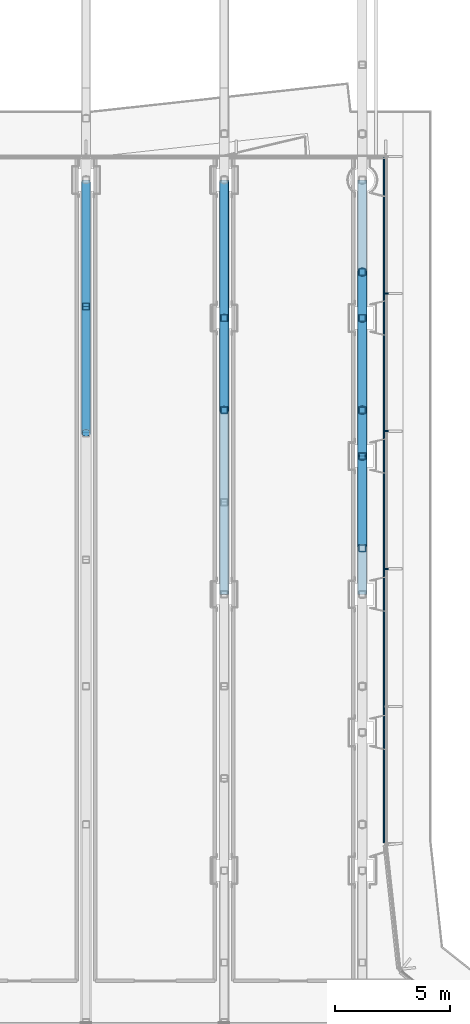
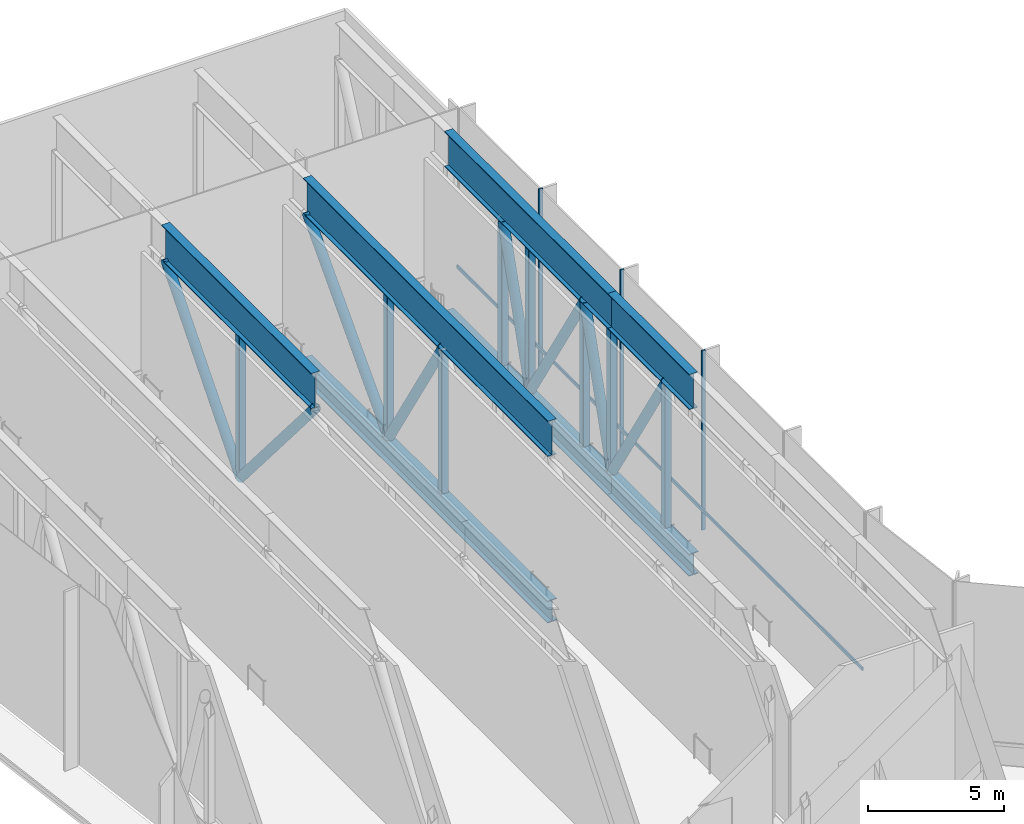
# One storey, part 8 of 22: 27 members, 1 element without a shape of its own.
"""IFC4 building model written with IfcOpenShell, lengths in metres."""

from ifc_helpers import new_model, si_unit, direction, frame, origin, origin_2d, place, context, subcontext, project, spatial, rectangle, hollow_rectangle, hollow_circle, i_section, extrude, material, layer, layer_set, material_profile, profile_set, type_object, element, aggregate, save


model = new_model("IFC4")

# Units and contexts
model_context = context("Model", 3, precision=1e-05, world=origin(), true_north=direction((0.0, 1.0)))
body_context = subcontext(model_context, "Body", "Model", "MODEL_VIEW")
ifc_project = project(units=[si_unit("LENGTHUNIT", "METRE"), si_unit("AREAUNIT", "SQUARE_METRE"), si_unit("VOLUMEUNIT", "CUBIC_METRE"), si_unit("PLANEANGLEUNIT", "RADIAN"), si_unit("MASSUNIT", "GRAM", prefix="KILO")], contexts=[model_context])

# Site, building, storey
site_placement = place(None, origin())
site = spatial("IfcSite", under=ifc_project, at=site_placement, CompositionType="ELEMENT")
building_placement = place(site_placement, origin())
building = spatial("IfcBuilding", under=site, at=building_placement, Name="Welwitschia Terrace Campus", CompositionType="ELEMENT")
storey_placement = place(building_placement, frame((0.0, 0.0, 197.0)))
storey = spatial("IfcBuildingStorey", under=building, at=storey_placement, Name="L44", CompositionType="ELEMENT", Elevation=197.0)

# Curtain wall, members
ifc_material_1 = material(Name="Bronze anodised aluminium", Category="aluminium")
ifc_layer = layer(ifc_material_1, 0.159912109375)
ifc_layer_set = layer_set([ifc_layer], Name="Bronze anodised aluminium")
curtain_wall_type = type_object("IfcCurtainWallType", Name="Curtain wall CW3 commons 6000", PredefinedType="NOTDEFINED", material=ifc_layer_set)
curtain_wall_placement = place(storey_placement, origin())
curtain_wall = element("IfcCurtainWall", 1, at=curtain_wall_placement, inside=storey, type_object=curtain_wall_type, Name="CW L44.4.0", PredefinedType="NOTDEFINED")
ifc_material_2 = material(Name="Bronze anodised aluminium", Category="aluminium")
ifc_material_profile_1 = material_profile(ifc_material_2, rectangle(XDim=0.159912109375, YDim=0.06005859375, at=origin_2d()))
ifc_profile_set_1 = profile_set([ifc_material_profile_1], Name="Bronze anodised aluminium")
member_type_1 = type_object("IfcMemberType", Name="Mullion 60x160", PredefinedType="MULLION", material=ifc_profile_set_1)
member_1_placement = place(storey_placement, frame((25.050048828125, 45.103759765625, 0.0), z_axis=(0.0, 0.0, 1.0), x_axis=(-1.0, 0.0, 0.0)))
member_1 = element("IfcMember", 2, at=member_1_placement, type_object=member_type_1, Name="Mullion L44.4.0.2", PredefinedType="MULLION", context=body_context, shape_type="SweptSolid", body=[
    extrude(rectangle(XDim=0.159912109375, YDim=0.06005859375, at=origin_2d()), origin(), (0.0, 0.0, 1.0), 8.050048828125),
])
member_2_placement = place(storey_placement, frame((25.050048828125, 51.085693359375, 0.0), z_axis=(0.0, 0.0, 1.0), x_axis=(-1.0, 0.0, 0.0)))
member_2 = element("IfcMember", 3, at=member_2_placement, type_object=member_type_1, Name="Mullion L44.4.0.3", PredefinedType="MULLION", context=body_context, shape_type="SweptSolid", body=[
    extrude(rectangle(XDim=0.159912109375, YDim=0.06005859375, at=origin_2d()), origin(), (0.0, 0.0, 1.0), 8.050048828125),
])
member_3_placement = place(storey_placement, frame((25.050048828125, 57.06787109375, 0.0), z_axis=(0.0, 0.0, 1.0), x_axis=(-1.0, 0.0, 0.0)))
member_3 = element("IfcMember", 4, at=member_3_placement, type_object=member_type_1, Name="Mullion L44.4.0.4", PredefinedType="MULLION", context=body_context, shape_type="SweptSolid", body=[
    extrude(rectangle(XDim=0.159912109375, YDim=0.06005859375, at=origin_2d()), origin(), (0.0, 0.0, 1.0), 8.050048828125),
])

# Members
ifc_material_3 = material(Name="Steel S355", Category="steel")
ifc_material_profile_2 = material_profile(ifc_material_3, i_section(OverallWidth=0.39990234375, OverallDepth=1.0, WebThickness=0.02490234375, FlangeThickness=0.0400390625, at=origin_2d()))
ifc_profile_set_2 = profile_set([ifc_material_profile_2], Name="Steel S355")
member_type_2 = type_object("IfcMemberType", Name="Transfer truss C3 bottom chord WI 1000x400x25x40", PredefinedType="CHORD", material=ifc_profile_set_2)
member_4_placement = place(storey_placement, frame((18.0, 44.0, -0.5), z_axis=(0.0, 1.0, 0.0), x_axis=(-1.0, 0.0, 0.0)))
element("IfcMember", 5, at=member_4_placement, inside=storey, type_object=member_type_2, Name="Truss bottom chord", PredefinedType="CHORD", context=body_context, shape_type="SweptSolid", body=[
    extrude(i_section(OverallWidth=0.39990234375, OverallDepth=1.0, WebThickness=0.02490234375, FlangeThickness=0.0400390625, at=origin_2d()), origin(), (0.0, 0.0, 1.0), 18.0),
])
member_5_placement = place(storey_placement, frame((24.0, 44.0, -0.5), z_axis=(0.0, 1.0, 0.0), x_axis=(-1.0, 0.0, 0.0)))
element("IfcMember", 6, at=member_5_placement, inside=storey, type_object=member_type_2, Name="Truss bottom chord", PredefinedType="CHORD", context=body_context, shape_type="SweptSolid", body=[
    extrude(i_section(OverallWidth=0.39990234375, OverallDepth=1.0, WebThickness=0.02490234375, FlangeThickness=0.0400390625, at=origin_2d()), origin(), (0.0, 0.0, 1.0), 6.0),
])
member_6_placement = place(storey_placement, frame((24.0, 50.0, -0.5), z_axis=(0.0, 1.0, 0.0), x_axis=(-1.0, 0.0, 0.0)))
element("IfcMember", 7, at=member_6_placement, inside=storey, type_object=member_type_2, Name="Truss bottom chord", PredefinedType="CHORD", context=body_context, shape_type="SweptSolid", body=[
    extrude(i_section(OverallWidth=0.39990234375, OverallDepth=1.0, WebThickness=0.02490234375, FlangeThickness=0.0400390625, at=origin_2d()), origin(), (0.0, 0.0, 1.0), 12.0),
])
ifc_material_4 = material(Name="Steel S355", Category="steel")
ifc_material_profile_3 = material_profile(ifc_material_4, hollow_circle(Radius=0.203125, WallThickness=0.01611328125, at=origin_2d()))
ifc_profile_set_3 = profile_set([ifc_material_profile_3], Name="Steel S355")
member_type_3 = type_object("IfcMemberType", Name="Transfer truss C3 diagonal CHS 406.4x16", PredefinedType="BRACE", material=ifc_profile_set_3)
for number, where, z_axis, x_axis, name in (
    (8, (12.0, 56.5, 0.0), (0.0, -0.648849017571, 0.760917178409), (1.0, 0.0, 0.0), "Truss diagonal"),
    (9, (12.0, 56.5, 0.0), (0.0, 0.648849017571, 0.760917178409), (-1.0, 0.0, 0.0), "Truss diagonal"),
):
    element("IfcMember", number, at=place(storey_placement, frame(where, z_axis=z_axis, x_axis=x_axis)), inside=storey, type_object=member_type_3, Name=name, PredefinedType="BRACE", context=body_context, shape_type="SweptSolid", body=[
        extrude(hollow_circle(Radius=0.203125, WallThickness=0.01611328125, at=origin_2d()), origin(), (0.0, 0.0, 1.0), 8.4765625),
    ])
member_7_placement = place(storey_placement, frame((18.0, 56.0, 0.0), z_axis=(0.0, -0.527037721004, 0.849841891553), x_axis=(1.0, 0.0, 0.0)))
element("IfcMember", 10, at=member_7_placement, inside=storey, type_object=member_type_3, Name="Truss diagonal", PredefinedType="BRACE", context=body_context, shape_type="SweptSolid", body=[
    extrude(hollow_circle(Radius=0.203125, WallThickness=0.01611328125, at=origin_2d()), origin(), (0.0, 0.0, 1.0), 7.589599609375),
])
member_8_placement = place(storey_placement, frame((18.0, 56.0, 0.0), z_axis=(0.0, 0.681106706671, 0.732184166811), x_axis=(-1.0, 0.0, 0.0)))
element("IfcMember", 11, at=member_8_placement, inside=storey, type_object=member_type_3, Name="Truss diagonal", PredefinedType="BRACE", context=body_context, shape_type="SweptSolid", body=[
    extrude(hollow_circle(Radius=0.203125, WallThickness=0.01611328125, at=origin_2d()), origin(), (0.0, 0.0, 1.0), 8.80908203125),
])
member_9_placement = place(storey_placement, frame((24.0, 50.0, 0.0), z_axis=(0.0, -0.527037721004, 0.849841891553), x_axis=(1.0, 0.0, 0.0)))
element("IfcMember", 12, at=member_9_placement, inside=storey, type_object=member_type_3, Name="Truss diagonal", PredefinedType="BRACE", context=body_context, shape_type="SweptSolid", body=[
    extrude(hollow_circle(Radius=0.203125, WallThickness=0.01611328125, at=origin_2d()), origin(), (0.0, 0.0, 1.0), 7.589599609375),
])
member_10_placement = place(storey_placement, frame((24.0, 50.0, 0.0), z_axis=(0.0, 0.296168365803, 0.955135749042), x_axis=(-1.0, 0.0, 0.0)))
element("IfcMember", 13, at=member_10_placement, inside=storey, type_object=member_type_3, Name="Truss diagonal", PredefinedType="BRACE", context=body_context, shape_type="SweptSolid", body=[
    extrude(hollow_circle(Radius=0.203125, WallThickness=0.01611328125, at=origin_2d()), origin(), (0.0, 0.0, 1.0), 6.7529296875),
])
member_11_placement = place(storey_placement, frame((24.0, 56.0, 0.0), z_axis=(0.0, -0.527037721004, 0.849841891553), x_axis=(1.0, 0.0, 0.0)))
element("IfcMember", 14, at=member_11_placement, inside=storey, type_object=member_type_3, Name="Truss diagonal", PredefinedType="BRACE", context=body_context, shape_type="SweptSolid", body=[
    extrude(hollow_circle(Radius=0.203125, WallThickness=0.01611328125, at=origin_2d()), origin(), (0.0, 0.0, 1.0), 7.589599609375),
])
member_12_placement = place(storey_placement, frame((24.0, 56.0, 0.0), z_axis=(0.0, 0.296168365803, 0.955135749042), x_axis=(-1.0, 0.0, 0.0)))
element("IfcMember", 15, at=member_12_placement, inside=storey, type_object=member_type_3, Name="Truss diagonal", PredefinedType="BRACE", context=body_context, shape_type="SweptSolid", body=[
    extrude(hollow_circle(Radius=0.203125, WallThickness=0.01611328125, at=origin_2d()), origin(), (0.0, 0.0, 1.0), 6.7529296875),
])
ifc_material_5 = material(Name="Steel S355", Category="steel")
ifc_material_profile_4 = material_profile(ifc_material_5, hollow_rectangle(XDim=0.300048828125, YDim=0.300048828125, WallThickness=0.01611328125, InnerFilletRadius=0.01611328125, OuterFilletRadius=0.02392578125, at=origin_2d()))
ifc_profile_set_4 = profile_set([ifc_material_profile_4], Name="Steel S355")
member_type_4 = type_object("IfcMemberType", Name="Transfer truss C3 post SHS 300x300x16", PredefinedType="POST", material=ifc_profile_set_4)
for number, where, z_axis, x_axis, name in (
    (16, (12.0, 56.5, 0.0), (0.0, 0.0, 1.0), (1.0, 0.0, 0.0), "Truss post"),
    (17, (18.0, 52.0, 0.0), (0.0, 0.0, 1.0), (1.0, 0.0, 0.0), "Truss post"),
    (18, (18.0, 56.0, 0.0), (0.0, 0.0, 1.0), (1.0, 0.0, 0.0), "Truss post"),
    (19, (24.0, 46.0, 0.0), (0.0, 0.0, 1.0), (1.0, 0.0, 0.0), "Truss post"),
    (20, (24.0, 50.0, 0.0), (0.0, 0.0, 1.0), (1.0, 0.0, 0.0), "Truss post"),
    (21, (24.0, 52.0, 0.0), (0.0, 0.0, 1.0), (1.0, 0.0, 0.0), "Truss post"),
    (22, (24.0, 56.0, 0.0), (0.0, 0.0, 1.0), (1.0, 0.0, 0.0), "Truss post"),
    (23, (24.0, 58.0, 0.0), (0.0, 0.0, 1.0), (1.0, 0.0, 0.0), "Truss post"),
):
    element("IfcMember", number, at=place(storey_placement, frame(where, z_axis=z_axis, x_axis=x_axis)), inside=storey, type_object=member_type_4, Name=name, PredefinedType="POST", context=body_context, shape_type="SweptSolid", body=[
        extrude(hollow_rectangle(XDim=0.300048828125, YDim=0.300048828125, WallThickness=0.01611328125, InnerFilletRadius=0.01611328125, OuterFilletRadius=0.02392578125, at=origin_2d()), origin(), (0.0, 0.0, 1.0), 6.449951171875),
    ])
ifc_material_6 = material(Name="Steel S355", Category="steel")
ifc_material_profile_5 = material_profile(ifc_material_6, i_section(OverallWidth=0.35009765625, OverallDepth=1.60009765625, WebThickness=0.02490234375, FlangeThickness=0.0400390625, at=origin_2d()))
ifc_profile_set_5 = profile_set([ifc_material_profile_5], Name="Steel S355")
member_type_5 = type_object("IfcMemberType", Name="Transfer truss C3 top chord WI 1600x350x25x40", PredefinedType="CHORD", material=ifc_profile_set_5)
member_13_placement = place(storey_placement, frame((12.0, 51.0, 7.25), z_axis=(0.0, 1.0, 0.0), x_axis=(-1.0, 0.0, 0.0)))
element("IfcMember", 24, at=member_13_placement, inside=storey, type_object=member_type_5, Name="Truss top chord", PredefinedType="CHORD", context=body_context, shape_type="SweptSolid", body=[
    extrude(i_section(OverallWidth=0.35009765625, OverallDepth=1.60009765625, WebThickness=0.02490234375, FlangeThickness=0.0400390625, at=origin_2d()), origin(), (0.0, 0.0, 1.0), 11.0),
])
member_14_placement = place(storey_placement, frame((18.0, 44.0, 7.25), z_axis=(0.0, 1.0, 0.0), x_axis=(-1.0, 0.0, 0.0)))
element("IfcMember", 25, at=member_14_placement, inside=storey, type_object=member_type_5, Name="Truss top chord", PredefinedType="CHORD", context=body_context, shape_type="SweptSolid", body=[
    extrude(i_section(OverallWidth=0.35009765625, OverallDepth=1.60009765625, WebThickness=0.02490234375, FlangeThickness=0.0400390625, at=origin_2d()), origin(), (0.0, 0.0, 1.0), 18.0),
])
member_15_placement = place(storey_placement, frame((24.0, 44.0, 7.25), z_axis=(0.0, 1.0, 0.0), x_axis=(-1.0, 0.0, 0.0)))
element("IfcMember", 26, at=member_15_placement, inside=storey, type_object=member_type_5, Name="Truss top chord", PredefinedType="CHORD", context=body_context, shape_type="SweptSolid", body=[
    extrude(i_section(OverallWidth=0.35009765625, OverallDepth=1.60009765625, WebThickness=0.02490234375, FlangeThickness=0.0400390625, at=origin_2d()), origin(), (0.0, 0.0, 1.0), 6.0),
])
member_16_placement = place(storey_placement, frame((24.0, 50.0, 7.25), z_axis=(0.0, 1.0, 0.0), x_axis=(-1.0, 0.0, 0.0)))
element("IfcMember", 27, at=member_16_placement, inside=storey, type_object=member_type_5, Name="Truss top chord", PredefinedType="CHORD", context=body_context, shape_type="SweptSolid", body=[
    extrude(i_section(OverallWidth=0.35009765625, OverallDepth=1.60009765625, WebThickness=0.02490234375, FlangeThickness=0.0400390625, at=origin_2d()), origin(), (0.0, 0.0, 1.0), 12.0),
])

# Member
ifc_material_7 = material(Name="Bronze anodised aluminium", Category="aluminium")
ifc_material_profile_6 = material_profile(ifc_material_7, rectangle(XDim=0.06005859375, YDim=0.14990234375, at=origin_2d()))
ifc_profile_set_6 = profile_set([ifc_material_profile_6], Name="Bronze anodised aluminium")
member_type_6 = type_object("IfcMemberType", Name="Transom 60x150", PredefinedType="USERDEFINED", material=ifc_profile_set_6)
member_17_placement = place(storey_placement, frame((24.93994140625, 33.199462890625, 1.0), z_axis=(0.0, 1.0, 0.0), x_axis=(-1.0, 0.0, 0.0)))
member_17 = element("IfcMember", 28, at=member_17_placement, type_object=member_type_6, Name="Transom L44.4.0", ObjectType="TRANSOM", PredefinedType="USERDEFINED", context=body_context, shape_type="SweptSolid", body=[
    extrude(rectangle(XDim=0.06005859375, YDim=0.14990234375, at=origin_2d()), origin(), (0.0, 0.0, 1.0), 29.79052734375),
])

aggregate(curtain_wall, [member_1, member_2, member_3, member_17])

save(model, "model.ifc")
